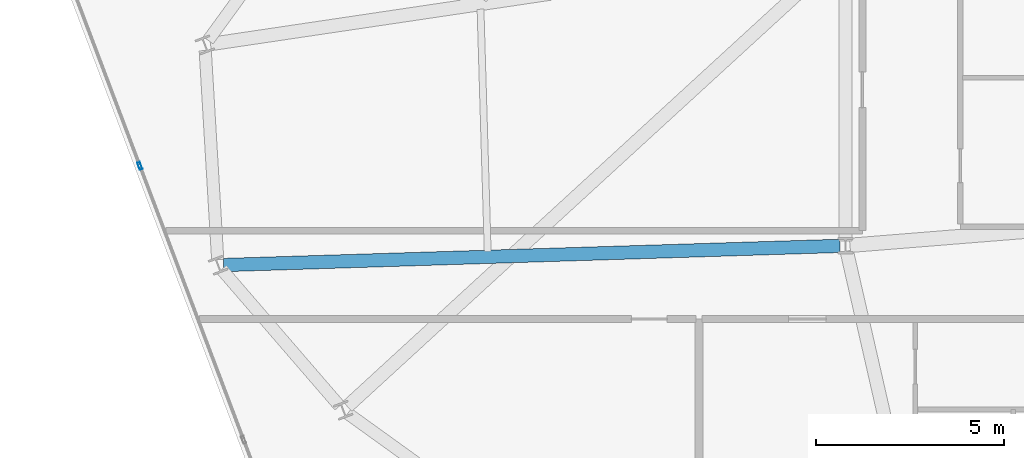
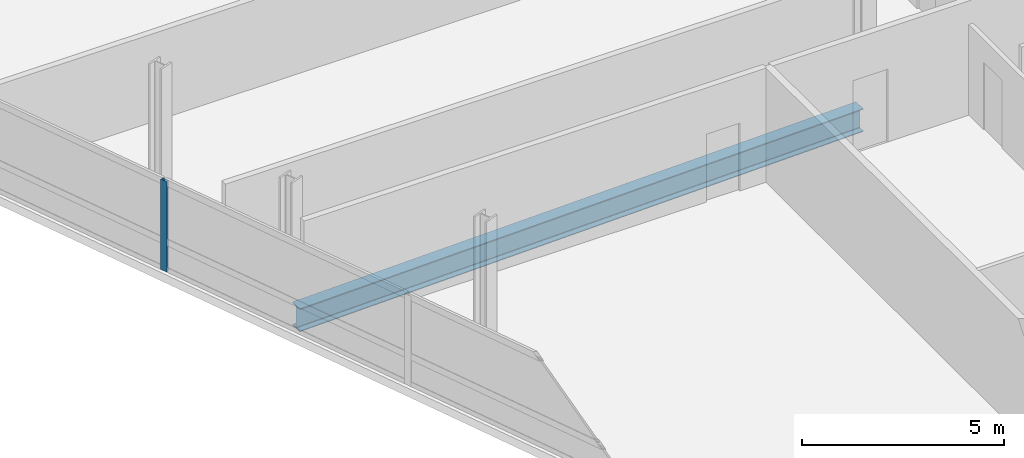
# One storey, part 6 of 20: 1 beam, 1 member, 1 element without a shape of its own.
"""IFC4 building model written with IfcOpenShell, lengths in metres."""

import ifcopenshell
import ifcopenshell.guid

model = None  # the IFC model being written
_history = None  # IfcOwnerHistory: only IFC2X3 demands one
_inside = {}  # id of a spatial element -> (the spatial element, [elements in it])
_under = {}  # id of a project, library or spatial element -> (it, [spatial elements below it])
_declared = {}  # id of a project -> (the project, [libraries it declares])
_typed = {}  # id of a type object -> (the type object, [elements of that type])
_made_of = {}  # id of a material, layer set ... -> (it, [elements and type objects made of it])


def new_model(schema):
    """Start an empty IFC model of exactly this schema.

    Asked for "IFC4X3", IfcOpenShell would pick the latest addendum, in which some entities
    have other attributes; the version numbers below select the first issue.
    IFC2X3 requires an IfcOwnerHistory on every rooted entity: one is made here for all.
    """
    global model, _history
    if schema == "IFC4X3":
        model = ifcopenshell.file(schema_version=(4, 3, 0, 0))
    else:
        model = ifcopenshell.file(schema=schema)
    _inside.clear()
    _under.clear()
    _declared.clear()
    _typed.clear()
    _made_of.clear()
    _history = None
    if model.schema == "IFC2X3":
        org = make("IfcOrganization", Name="unknown")
        user = make(
            "IfcPersonAndOrganization",
            ThePerson=make("IfcPerson", FamilyName="unknown"),
            TheOrganization=org,
        )
        app = make(
            "IfcApplication",
            ApplicationDeveloper=org,
            Version="unknown",
            ApplicationFullName="unknown",
            ApplicationIdentifier="unknown",
        )
        _history = make(
            "IfcOwnerHistory",
            OwningUser=user,
            OwningApplication=app,
            ChangeAction="ADDED",
            CreationDate=0,
        )
    return model


def make(cls, **values):
    """One entity of the class cls with the attributes given. An attribute that is None is left unset."""
    return model.create_entity(
        cls, **{name: value for name, value in values.items() if value is not None}
    )


def rooted(cls, **values):
    """An entity with a GlobalId (a new one), such as an element, a storey or a relation."""
    return make(cls, GlobalId=ifcopenshell.guid.new(), OwnerHistory=_history, **values)


def si_unit(unit_type, name, prefix=None):
    """IfcSIUnit, for example si_unit("LENGTHUNIT", "METRE", prefix="MILLI")."""
    return make("IfcSIUnit", UnitType=unit_type, Prefix=prefix, Name=name)


def assignment(units):
    """IfcUnitAssignment: the units of a project."""
    return None if units is None else make("IfcUnitAssignment", Units=units)


def point(xyz):
    """IfcCartesianPoint."""
    return None if xyz is None else make("IfcCartesianPoint", Coordinates=xyz)


def direction(xyz):
    """IfcDirection."""
    return None if xyz is None else make("IfcDirection", DirectionRatios=xyz)


def frame(location, z_axis=None, x_axis=None):
    """IfcAxis2Placement3D, a coordinate frame: its origin and axes. An axis left out is left unset."""
    return make(
        "IfcAxis2Placement3D",
        Location=point(location),
        Axis=direction(z_axis),
        RefDirection=direction(x_axis),
    )


def frame_2d(location, x_axis=None):
    """IfcAxis2Placement2D, a coordinate frame in the plane: its origin and x axis."""
    return make(
        "IfcAxis2Placement2D", Location=point(location), RefDirection=direction(x_axis)
    )


def origin():
    """The frame at (0, 0, 0) with its axes left unset."""
    return frame((0.0, 0.0, 0.0))


def origin_2d():
    """The frame at (0, 0) in the plane with its x axis left unset."""
    return frame_2d((0.0, 0.0))


def place(relative_to, where):
    """IfcLocalPlacement: puts the frame where relative to a parent placement (None: the world)."""
    return make(
        "IfcLocalPlacement", PlacementRelTo=relative_to, RelativePlacement=where
    )


def context(
    kind, dimensions, precision=None, world=None, true_north=None, identifier=None
):
    """IfcGeometricRepresentationContext, for example the 3D "Model" context."""
    return make(
        "IfcGeometricRepresentationContext",
        ContextIdentifier=identifier,
        ContextType=kind,
        CoordinateSpaceDimension=dimensions,
        Precision=precision,
        WorldCoordinateSystem=world,
        TrueNorth=true_north,
    )


def subcontext(parent, identifier, kind, view, scale=None):
    """IfcGeometricRepresentationSubContext, for example "Body" below "Model"."""
    return make(
        "IfcGeometricRepresentationSubContext",
        ContextIdentifier=identifier,
        ContextType=kind,
        ParentContext=parent,
        TargetScale=scale,
        TargetView=view,
    )


def project(units=None, contexts=None):
    """IfcProject with its units and contexts."""
    return rooted(
        "IfcProject",
        Name="project",
        RepresentationContexts=contexts,
        UnitsInContext=assignment(units),
    )


def spatial(cls, under=None, at=None, **own):
    """A site, building, storey or space (cls), placed at a placement, below another one or the project."""
    s = rooted(cls, ObjectPlacement=at, **own)
    if under is not None:
        _under.setdefault(under.id(), (under, []))[1].append(s)
    return s


def profile(cls, at=None, kind="AREA", **sizes):
    """A parametric profile (cls). Its sizes go by their IFC names, for example OverallWidth=200.0."""
    return make(cls, ProfileType=kind, Position=at, **sizes)


def hollow_rectangle(**sizes):
    """IfcRectangleHollowProfileDef."""
    return profile("IfcRectangleHollowProfileDef", **sizes)


def i_section(**sizes):
    """IfcIShapeProfileDef."""
    return profile("IfcIShapeProfileDef", **sizes)


def extrude(swept, where, along, depth):
    """IfcExtrudedAreaSolid: the profile swept, set in the frame where, extruded along a direction by depth."""
    return make(
        "IfcExtrudedAreaSolid",
        SweptArea=swept,
        Position=where,
        ExtrudedDirection=direction(along),
        Depth=depth,
    )


def shape(context_of_items, identifier, shape_type, items):
    """IfcShapeRepresentation: the items that make up one representation, for example the "Body"."""
    return make(
        "IfcShapeRepresentation",
        ContextOfItems=context_of_items,
        RepresentationIdentifier=identifier,
        RepresentationType=shape_type,
        Items=items,
    )


def material(Name=None, Category=None):
    """IfcMaterial."""
    return make("IfcMaterial", Name=Name, Category=Category)


def layer(
    of_material, thickness, ventilated=None, Name=None, Category=None, Priority=None
):
    """IfcMaterialLayer: one layer of a wall or slab, of a material (None: an air gap)."""
    return make(
        "IfcMaterialLayer",
        Material=of_material,
        LayerThickness=thickness,
        IsVentilated=ventilated,
        Name=Name,
        Category=Category,
        Priority=Priority,
    )


def layer_set(layers, Name=None):
    """IfcMaterialLayerSet."""
    return make("IfcMaterialLayerSet", MaterialLayers=layers, LayerSetName=Name)


def material_profile(
    of_material, cross_section, Name=None, Category=None, Priority=None
):
    """IfcMaterialProfile: a cross section and its material."""
    return make(
        "IfcMaterialProfile",
        Name=Name,
        Material=of_material,
        Profile=cross_section,
        Priority=Priority,
        Category=Category,
    )


def profile_set(profiles, Name=None, composite=None):
    """IfcMaterialProfileSet."""
    return make(
        "IfcMaterialProfileSet",
        Name=Name,
        MaterialProfiles=profiles,
        CompositeProfile=composite,
    )


def made_of(thing, what):
    """Note that an element or type object is made of a material, layer set ...; save() writes the relation."""
    if what is not None:
        _made_of.setdefault(what.id(), (what, []))[1].append(thing)
    return thing


def type_object(cls, material=None, **own):
    """A type object (cls), such as IfcWallType, which elements share."""
    return made_of(rooted(cls, **own), material)


def element(
    cls,
    number,
    at=None,
    inside=None,
    cuts=None,
    type_object=None,
    material=None,
    context=None,
    identifier="Body",
    shape_type=None,
    held_by="IfcProductDefinitionShape",
    body=None,
    shapes=None,
    **own,
):
    """One element of the class cls, such as IfcWall. Its Tag is "e" and its number.

    at: its placement. inside: the storey or other place that contains it. cuts: it is an
    opening in that element (IfcRelVoidsElement). A single representation is given by context,
    identifier, shape_type and body (its items); several are given by shapes. held_by: the class
    of the entity that holds the representations. save() writes the other relations.
    """
    e = rooted(cls, Tag="e%d" % number, ObjectPlacement=at, **own)
    if body is not None:
        shapes = [shape(context, identifier, shape_type, body)]
    if shapes is not None:
        e.Representation = make(held_by, Representations=shapes)
    if inside is not None:
        _inside.setdefault(inside.id(), (inside, []))[1].append(e)
    if cuts is not None:
        rooted(
            "IfcRelVoidsElement", RelatingBuildingElement=cuts, RelatedOpeningElement=e
        )
    if type_object is not None:
        _typed.setdefault(type_object.id(), (type_object, []))[1].append(e)
    return made_of(e, material)


def aggregate(whole, parts):
    """IfcRelAggregates: a whole, such as a stair, and the parts it consists of."""
    return rooted("IfcRelAggregates", RelatingObject=whole, RelatedObjects=parts)


def save(model, path):
    """Write the relations noted so far, then the file.

    IfcRelAggregates (storeys below a building ...), IfcRelContainedInSpatialStructure (elements
    in a storey), IfcRelDefinesByType, IfcRelAssociatesMaterial and IfcRelDeclares: one each for
    every whole, place, type object, material and project.
    """
    for whole, parts in _under.values():
        aggregate(whole, parts)
    for where, things in _inside.values():
        rooted(
            "IfcRelContainedInSpatialStructure",
            RelatedElements=things,
            RelatingStructure=where,
        )
    for kind, things in _typed.values():
        rooted("IfcRelDefinesByType", RelatedObjects=things, RelatingType=kind)
    for what, things in _made_of.values():
        rooted("IfcRelAssociatesMaterial", RelatedObjects=things, RelatingMaterial=what)
    for by, libraries in _declared.values():
        rooted("IfcRelDeclares", RelatingContext=by, RelatedDefinitions=libraries)
    model.write(path)


model = new_model("IFC4")

# Units and contexts
model_context = context("Model", 3, precision=1e-05, world=origin(), true_north=direction((0.0, 1.0)))
body_context = subcontext(model_context, "Body", "Model", "MODEL_VIEW")
ifc_project = project(units=[si_unit("LENGTHUNIT", "METRE"), si_unit("AREAUNIT", "SQUARE_METRE"), si_unit("VOLUMEUNIT", "CUBIC_METRE"), si_unit("PLANEANGLEUNIT", "RADIAN"), si_unit("MASSUNIT", "GRAM", prefix="KILO")], contexts=[model_context])

# Site, building, storey
site_placement = place(None, origin())
site = spatial("IfcSite", under=ifc_project, at=site_placement, CompositionType="ELEMENT")
building_placement = place(site_placement, origin())
building = spatial("IfcBuilding", under=site, at=building_placement, Name="Varnelok Gate Tower", CompositionType="ELEMENT")
storey_placement = place(building_placement, frame((0.0, 0.0, 220.10009765625)))
storey = spatial("IfcBuildingStorey", under=building, at=storey_placement, Name="L56", CompositionType="ELEMENT", Elevation=220.10009765625)

# Beam
ifc_material_1 = material(Name="Structural Steel ASTM A992 Grade 50", Category="steel")
ifc_material_profile_1 = material_profile(ifc_material_1, i_section(OverallWidth=0.35498046875, OverallDepth=0.696044921875, WebThickness=0.015380859375, FlangeThickness=0.02490234375, FilletRadius=0.02001953125, at=origin_2d()), Name="W27X146")
ifc_profile_set_1 = profile_set([ifc_material_profile_1], Name="Structural Steel ASTM A992 Grade 50")
beam_type = type_object("IfcBeamType", Name="BM-PRI-W27X146", PredefinedType="BEAM", material=ifc_profile_set_1)
beam_placement = place(storey_placement, frame((24.25, 18.79541015625, -0.59814453125), z_axis=(-0.999516665435, -0.031087546033, 0.0), x_axis=(0.031087546033, -0.999516665435, 0.0)))
element("IfcBeam", 1, at=beam_placement, inside=storey, type_object=beam_type, Name="L56 Radial Floor Girder 15", PredefinedType="BEAM", context=body_context, shape_type="SweptSolid", body=[
    extrude(i_section(OverallWidth=0.35498046875, OverallDepth=0.696044921875, WebThickness=0.015380859375, FlangeThickness=0.02490234375, FilletRadius=0.02001953125, at=origin_2d()), origin(), (0.0, 0.0, 1.0), 16.413330078125),
])

# Curtain wall, member
ifc_material_2 = material(Name="Anodized Aluminum Alloy 6063-T6", Category="aluminium")
ifc_layer = layer(ifc_material_2, 0.179931640625)
ifc_layer_set = layer_set([ifc_layer], Name="Anodized Aluminum Alloy 6063-T6")
curtain_wall_type = type_object("IfcCurtainWallType", Name="CW4-RESIDENCE-VISION", PredefinedType="USERDEFINED", material=ifc_layer_set)
curtain_wall_placement = place(storey_placement, origin())
curtain_wall = element("IfcCurtainWall", 2, at=curtain_wall_placement, inside=storey, type_object=curtain_wall_type, Name="L56 West End Vision Curtain Wall", ObjectType="UNITISED CURTAIN WALL", PredefinedType="USERDEFINED")
ifc_material_profile_2 = material_profile(ifc_material_2, hollow_rectangle(XDim=0.074951171875, YDim=0.199951171875, WallThickness=0.00390625, at=origin_2d()), Name="ALU200X75X4")
ifc_profile_set_2 = profile_set([ifc_material_profile_2], Name="Anodized Aluminum Alloy 6063-T6")
member_type = type_object("IfcMemberType", Name="CW-MULL-200", PredefinedType="MULLION", material=ifc_profile_set_2)
member_placement = place(storey_placement, frame((5.61328125, 20.9248046875, 0.0), z_axis=(0.0, 0.0, 1.0), x_axis=(-0.935221557832, -0.354063042079, 0.0)))
member = element("IfcMember", 3, at=member_placement, type_object=member_type, Name="CW4 mullion 4", PredefinedType="MULLION", context=body_context, shape_type="SweptSolid", body=[
    extrude(hollow_rectangle(XDim=0.074951171875, YDim=0.199951171875, WallThickness=0.00390625, at=origin_2d()), origin(), (0.0, 0.0, 1.0), 2.72998046875),
])
aggregate(curtain_wall, [member])

save(model, "model.ifc")
